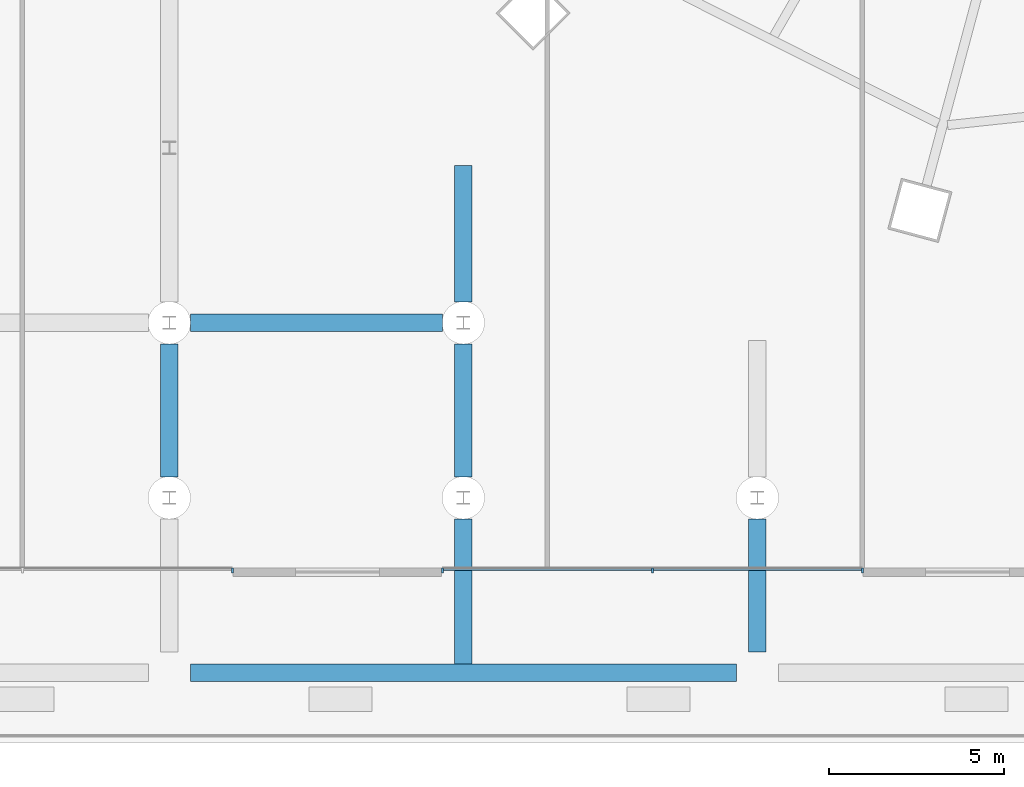
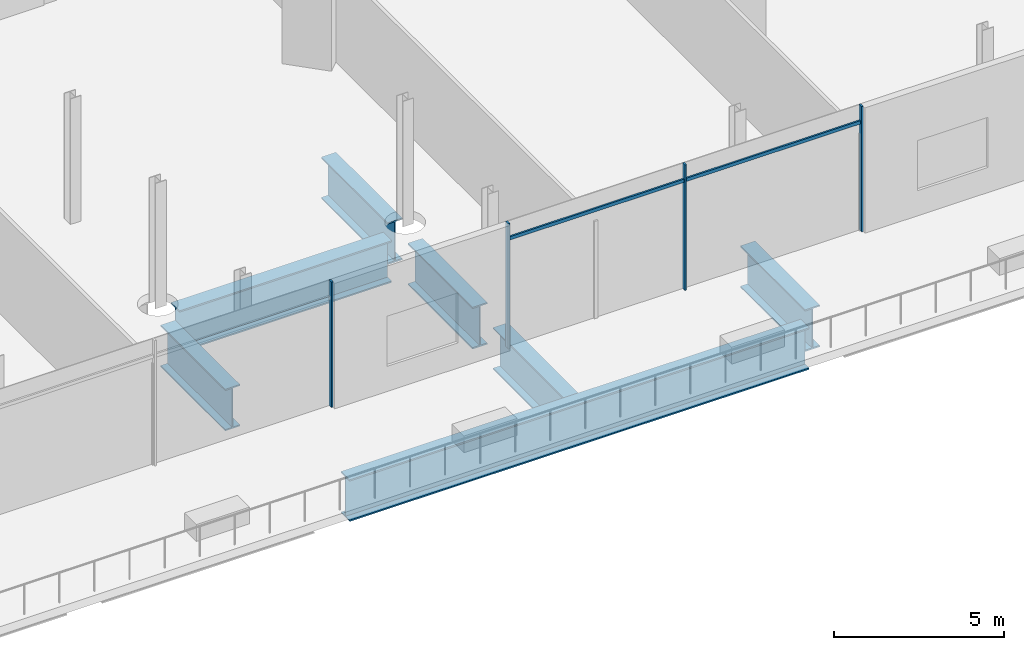
# One storey, part 20 of 56: 7 beams, 6 members, 1 element without a shape of its own.
"""IFC4 building model written with IfcOpenShell, lengths in metres."""

from ifc_helpers import new_model, si_unit, direction, frame, origin, origin_2d, place, context, subcontext, project, spatial, rectangle, i_section, extrude, material, material_profile, profile_set, type_object, element, aggregate, save


model = new_model("IFC4")

# Units and contexts
model_context = context("Model", 3, precision=1e-05, world=origin(), true_north=direction((0.0, 1.0)))
body_context = subcontext(model_context, "Body", "Model", "MODEL_VIEW")
ifc_project = project(units=[si_unit("LENGTHUNIT", "METRE"), si_unit("AREAUNIT", "SQUARE_METRE"), si_unit("VOLUMEUNIT", "CUBIC_METRE"), si_unit("PLANEANGLEUNIT", "RADIAN"), si_unit("MASSUNIT", "GRAM", prefix="KILO")], contexts=[model_context])

# Site, building, storey
site_placement = place(None, origin())
site = spatial("IfcSite", under=ifc_project, at=site_placement, CompositionType="ELEMENT")
building_placement = place(site_placement, origin())
building = spatial("IfcBuilding", under=site, at=building_placement, Name="Rimbun Link Towers", CompositionType="ELEMENT")
storey_placement = place(building_placement, frame((0.0, 0.0, 16.5)))
storey = spatial("IfcBuildingStorey", under=building, at=storey_placement, Name="L03", CompositionType="ELEMENT", Elevation=16.5)

# Curtain wall, members
ifc_material_1 = material(Name="Aluminium 6063-T6 and low-iron glass", Category="aluminium")
curtain_wall_type = type_object("IfcCurtainWallType", Name="CW3 podium shopfront", PredefinedType="NOTDEFINED", material=ifc_material_1)
curtain_wall_placement = place(storey_placement, origin())
curtain_wall = element("IfcCurtainWall", 1, at=curtain_wall_placement, inside=storey, type_object=curtain_wall_type, Name="CW3 L03 PD", PredefinedType="NOTDEFINED")
ifc_material_2 = material(Name="Aluminium 6063-T6", Category="aluminium")
ifc_material_profile_1 = material_profile(ifc_material_2, rectangle(XDim=0.14990234375, YDim=0.06005859375, at=origin_2d()), Name="MULLION 60X150")
ifc_profile_set_1 = profile_set([ifc_material_profile_1], Name="Aluminium 6063-T6")
member_type_1 = type_object("IfcMemberType", Name="CW3 mullion 60X150", PredefinedType="MULLION", material=ifc_profile_set_1)
member_1_placement = place(storey_placement, frame((6.0, -33.074951171875, 0.0), z_axis=(0.0, 0.0, 1.0), x_axis=(0.0, -1.0, 0.0)))
member_1 = element("IfcMember", 2, at=member_1_placement, type_object=member_type_1, Name="CW3 mullion", PredefinedType="MULLION", context=body_context, shape_type="SweptSolid", body=[
    extrude(rectangle(XDim=0.14990234375, YDim=0.06005859375, at=origin_2d()), origin(), (0.0, 0.0, 1.0), 4.5),
])
member_2_placement = place(storey_placement, frame((12.0, -33.074951171875, 0.0), z_axis=(0.0, 0.0, 1.0), x_axis=(0.0, -1.0, 0.0)))
member_2 = element("IfcMember", 3, at=member_2_placement, type_object=member_type_1, Name="CW3 mullion", PredefinedType="MULLION", context=body_context, shape_type="SweptSolid", body=[
    extrude(rectangle(XDim=0.14990234375, YDim=0.06005859375, at=origin_2d()), origin(), (0.0, 0.0, 1.0), 4.5),
])
member_3_placement = place(storey_placement, frame((18.0, -33.074951171875, 0.0), z_axis=(0.0, 0.0, 1.0), x_axis=(0.0, -1.0, 0.0)))
member_3 = element("IfcMember", 4, at=member_3_placement, type_object=member_type_1, Name="CW3 mullion", PredefinedType="MULLION", context=body_context, shape_type="SweptSolid", body=[
    extrude(rectangle(XDim=0.14990234375, YDim=0.06005859375, at=origin_2d()), origin(), (0.0, 0.0, 1.0), 4.5),
])
member_4_placement = place(storey_placement, frame((24.0, -33.074951171875, 0.0), z_axis=(0.0, 0.0, 1.0), x_axis=(0.0, -1.0, 0.0)))
member_4 = element("IfcMember", 5, at=member_4_placement, type_object=member_type_1, Name="CW3 mullion", PredefinedType="MULLION", context=body_context, shape_type="SweptSolid", body=[
    extrude(rectangle(XDim=0.14990234375, YDim=0.06005859375, at=origin_2d()), origin(), (0.0, 0.0, 1.0), 4.5),
])
ifc_material_3 = material(Name="Aluminium 6063-T6", Category="aluminium")
ifc_material_profile_2 = material_profile(ifc_material_3, rectangle(XDim=0.06005859375, YDim=0.1201171875, at=origin_2d()), Name="TRANSOM 60X120")
ifc_profile_set_2 = profile_set([ifc_material_profile_2], Name="Aluminium 6063-T6")
member_type_2 = type_object("IfcMemberType", Name="CW3 transom 60X120", PredefinedType="USERDEFINED", material=ifc_profile_set_2)
member_5_placement = place(storey_placement, frame((17.969970703125, -33.053955078125, 3.89990234375), z_axis=(-1.0, 0.0, 0.0), x_axis=(0.0, -1.0, 0.0)))
member_5 = element("IfcMember", 6, at=member_5_placement, type_object=member_type_2, Name="CW3 transom", ObjectType="TRANSOM", PredefinedType="USERDEFINED", context=body_context, shape_type="SweptSolid", body=[
    extrude(rectangle(XDim=0.06005859375, YDim=0.1201171875, at=origin_2d()), origin(), (0.0, 0.0, 1.0), 5.93994140625),
])
member_6_placement = place(storey_placement, frame((23.969970703125, -33.053955078125, 3.89990234375), z_axis=(-1.0, 0.0, 0.0), x_axis=(0.0, -1.0, 0.0)))
member_6 = element("IfcMember", 7, at=member_6_placement, type_object=member_type_2, Name="CW3 transom", ObjectType="TRANSOM", PredefinedType="USERDEFINED", context=body_context, shape_type="SweptSolid", body=[
    extrude(rectangle(XDim=0.06005859375, YDim=0.1201171875, at=origin_2d()), origin(), (0.0, 0.0, 1.0), 5.93994140625),
])
aggregate(curtain_wall, [member_1, member_2, member_3, member_4, member_5, member_6])

# Beams
ifc_material_4 = material(Name="Steel S355J2", Category="steel")
ifc_material_profile_3 = material_profile(ifc_material_4, i_section(OverallWidth=0.5, OverallDepth=1.5, WebThickness=0.030029296875, FlangeThickness=0.050048828125, at=origin_2d()), Name="PG 1500x500x30/50")
ifc_profile_set_3 = profile_set([ifc_material_profile_3], Name="Steel S355J2")
beam_type = type_object("IfcBeamType", Name="PG 1500x500x30/50", PredefinedType="BEAM", material=ifc_profile_set_3)
beam_1_placement = place(storey_placement, frame((4.800048828125, -36.0, -1.050048828125), z_axis=(1.0, 0.0, 0.0), x_axis=(0.0, 1.0, 0.0)))
element("IfcBeam", 8, at=beam_1_placement, inside=storey, type_object=beam_type, Name="Grid beam L03 -36.0", PredefinedType="BEAM", context=body_context, shape_type="SweptSolid", body=[
    extrude(i_section(OverallWidth=0.5, OverallDepth=1.5, WebThickness=0.030029296875, FlangeThickness=0.050048828125, at=origin_2d()), origin(), (0.0, 0.0, 1.0), 15.599853515625),
])
beam_2_placement = place(storey_placement, frame((4.800048828125, -26.0, -1.050048828125), z_axis=(1.0, 0.0, 0.0), x_axis=(0.0, 1.0, 0.0)))
element("IfcBeam", 9, at=beam_2_placement, inside=storey, type_object=beam_type, Name="Grid beam L03 -26.0", PredefinedType="BEAM", context=body_context, shape_type="SweptSolid", body=[
    extrude(i_section(OverallWidth=0.5, OverallDepth=1.5, WebThickness=0.030029296875, FlangeThickness=0.050048828125, at=origin_2d()), origin(), (0.0, 0.0, 1.0), 7.199951171875),
])
beam_3_placement = place(storey_placement, frame((4.199951171875, -30.39990234375, -1.050048828125), z_axis=(0.0, 1.0, 0.0), x_axis=(-1.0, 0.0, 0.0)))
element("IfcBeam", 10, at=beam_3_placement, inside=storey, type_object=beam_type, Name="Grid beam L03 +4.2", PredefinedType="BEAM", context=body_context, shape_type="SweptSolid", body=[
    extrude(i_section(OverallWidth=0.5, OverallDepth=1.5, WebThickness=0.030029296875, FlangeThickness=0.050048828125, at=origin_2d()), origin(), (0.0, 0.0, 1.0), 3.7998046875),
])
beam_4_placement = place(storey_placement, frame((12.60009765625, -35.75, -1.050048828125), z_axis=(0.0, 1.0, 0.0), x_axis=(-1.0, 0.0, 0.0)))
element("IfcBeam", 11, at=beam_4_placement, inside=storey, type_object=beam_type, Name="Grid beam L03 +12.6", PredefinedType="BEAM", context=body_context, shape_type="SweptSolid", body=[
    extrude(i_section(OverallWidth=0.5, OverallDepth=1.5, WebThickness=0.030029296875, FlangeThickness=0.050048828125, at=origin_2d()), origin(), (0.0, 0.0, 1.0), 4.14990234375),
])
beam_5_placement = place(storey_placement, frame((12.60009765625, -30.39990234375, -1.050048828125), z_axis=(0.0, 1.0, 0.0), x_axis=(-1.0, 0.0, 0.0)))
element("IfcBeam", 12, at=beam_5_placement, inside=storey, type_object=beam_type, Name="Grid beam L03 +12.6", PredefinedType="BEAM", context=body_context, shape_type="SweptSolid", body=[
    extrude(i_section(OverallWidth=0.5, OverallDepth=1.5, WebThickness=0.030029296875, FlangeThickness=0.050048828125, at=origin_2d()), origin(), (0.0, 0.0, 1.0), 3.7998046875),
])
beam_6_placement = place(storey_placement, frame((12.60009765625, -25.39990234375, -1.050048828125), z_axis=(0.0, 1.0, 0.0), x_axis=(-1.0, 0.0, 0.0)))
element("IfcBeam", 13, at=beam_6_placement, inside=storey, type_object=beam_type, Name="Grid beam L03 +12.6", PredefinedType="BEAM", context=body_context, shape_type="SweptSolid", body=[
    extrude(i_section(OverallWidth=0.5, OverallDepth=1.5, WebThickness=0.030029296875, FlangeThickness=0.050048828125, at=origin_2d()), origin(), (0.0, 0.0, 1.0), 3.89990234375),
])
beam_7_placement = place(storey_placement, frame((21.0, -35.39990234375, -1.050048828125), z_axis=(0.0, 1.0, 0.0), x_axis=(-1.0, 0.0, 0.0)))
element("IfcBeam", 14, at=beam_7_placement, inside=storey, type_object=beam_type, Name="Grid beam L03 +21.0", PredefinedType="BEAM", context=body_context, shape_type="SweptSolid", body=[
    extrude(i_section(OverallWidth=0.5, OverallDepth=1.5, WebThickness=0.030029296875, FlangeThickness=0.050048828125, at=origin_2d()), origin(), (0.0, 0.0, 1.0), 3.7998046875),
])

save(model, "model.ifc")
